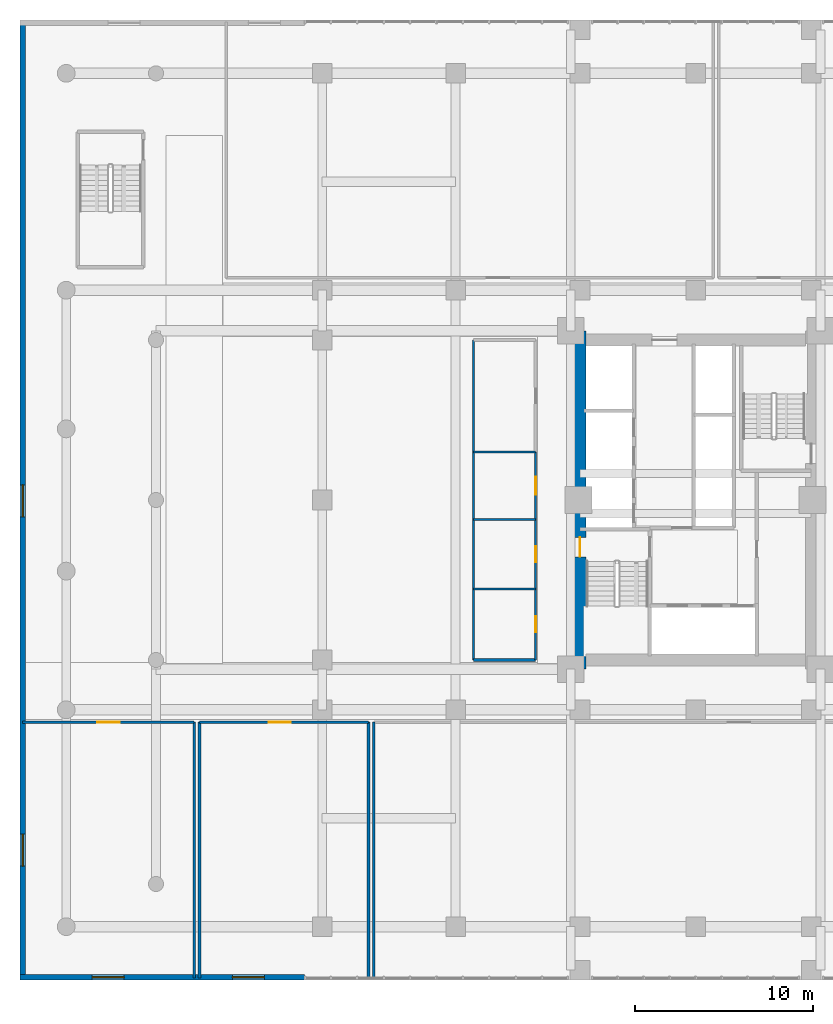
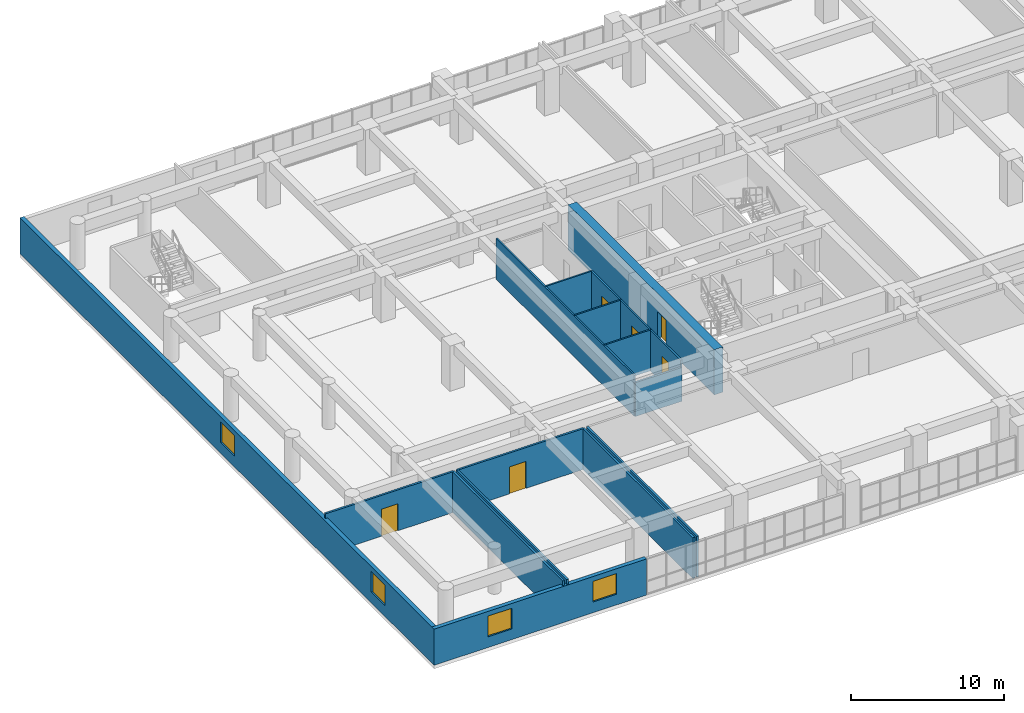
# One storey, part 18 of 30: 17 walls, 6 doors, 4 windows, 10 openings.
"""IFC4 building model written with IfcOpenShell, lengths in metres."""

from ifc_helpers import new_model, si_unit, direction, frame, frame_2d, origin, place, context, subcontext, project, spatial, rectangle, extrude, source, transform, mapped, material, layer, layer_set, type_object, element, fill, save


model = new_model("IFC4")

# Units and contexts
model_context = context("Model", 3, precision=1e-05, world=origin(), true_north=direction((0.0, 1.0)))
body_context = subcontext(model_context, "Body", "Model", "MODEL_VIEW")
ifc_project = project(units=[si_unit("LENGTHUNIT", "METRE"), si_unit("AREAUNIT", "SQUARE_METRE"), si_unit("VOLUMEUNIT", "CUBIC_METRE"), si_unit("PLANEANGLEUNIT", "RADIAN"), si_unit("MASSUNIT", "GRAM", prefix="KILO")], contexts=[model_context])

# Site, building, storey
site_placement = place(None, origin())
site = spatial("IfcSite", under=ifc_project, at=site_placement, CompositionType="ELEMENT")
building_placement = place(site_placement, origin())
building = spatial("IfcBuilding", under=site, at=building_placement, Name="Saelheon Loggia Tower", CompositionType="ELEMENT")
storey_placement = place(building_placement, frame((0.0, 0.0, 11.39990234375)))
storey = spatial("IfcBuildingStorey", under=building, at=storey_placement, Name="L03", CompositionType="ELEMENT", Elevation=11.39990234375)

# Wall, opening, door
ifc_material_1 = material(Name="Concrete C60/75", Category="concrete")
ifc_layer_1 = layer(ifc_material_1, 0.64990234375)
ifc_layer_set_1 = layer_set([ifc_layer_1], Name="Concrete C60/75")
wall_type_1 = type_object("IfcWallType", Name="Wall_CoreShear_650", PredefinedType="SHEAR", material=ifc_layer_set_1)
wall_1_placement = place(storey_placement, frame((31.5, 17.47998046875, 0.0), z_axis=(0.0, 0.0, 1.0), x_axis=(0.0, 1.0, 0.0)))
wall_1 = element("IfcWall", 1, at=wall_1_placement, inside=storey, type_object=wall_type_1, Name="L03 Core Shear Wall West", PredefinedType="SHEAR", context=body_context, shape_type="SweptSolid", body=[
    extrude(rectangle(XDim=19.0400390625, YDim=0.64990234375, at=frame_2d((9.52001953125, 0.0))), origin(), (0.0, 0.0, 1.0), 3.60009765625),
])
opening_1_placement = place(wall_1_placement, frame((6.320068359375, 0.0, 0.0)))
opening_1 = element("IfcOpeningElement", 2, at=opening_1_placement, cuts=wall_1, Name="Opening D-FD2", PredefinedType="OPENING", context=body_context, shape_type="SweptSolid", body=[
    extrude(rectangle(XDim=1.10009765625, YDim=2.14990234375, at=frame_2d((0.550048828125, 1.074951171875))), frame((0.0, 0.3369140625, 0.0), z_axis=(0.0, -1.0, 0.0), x_axis=(1.0, 0.0, 0.0)), (0.0, 0.0, 1.0), 0.673828125),
])
ifc_material_2 = material(Name="Galvanised Steel Fire Door", Category="steel")
door_type_1 = type_object("IfcDoorType", Name="Door_Fire_FD60_1100", OperationType="NOTDEFINED", PredefinedType="DOOR", material=ifc_material_2)
shared_shape_1 = source(origin(), body_context, "Body", "SweptSolid", [
    extrude(rectangle(XDim=1.10009765625, YDim=2.14990234375, at=frame_2d((0.550048828125, 1.074951171875))), frame((0.0, 0.02490234375, 0.0), z_axis=(0.0, -1.0, 0.0), x_axis=(1.0, 0.0, 0.0)), (0.0, 0.0, 1.0), 0.050048828125),
])
door_1_placement = place(opening_1_placement, origin())
door_1 = element("IfcDoor", 3, at=door_1_placement, inside=storey, type_object=door_type_1, Name="L03 Stair ST1 Corridor Door", OperationType="SINGLE_SWING_LEFT", OverallHeight=2.14990234375, OverallWidth=1.10009765625, PredefinedType="DOOR", context=body_context, shape_type="MappedRepresentation", body=[
    mapped(shared_shape_1, transform((0.0, 0.0, 0.0), scale=1.0)),
])
fill(opening_1, door_1)

# Wall, openings, windows
ifc_material_3 = material(Name="Architectural Precast Concrete C40/50", Category="concrete")
ifc_layer_2 = layer(ifc_material_3, 0.300048828125)
ifc_layer_set_2 = layer_set([ifc_layer_2], Name="Architectural Precast Concrete C40/50")
wall_type_2 = type_object("IfcWallType", Name="Wall_Ext_Podium_300", PredefinedType="SOLIDWALL", material=ifc_layer_set_2)
wall_2_placement = place(storey_placement, frame((0.0, 0.14990234375, 0.0), z_axis=(0.0, 0.0, 1.0), x_axis=(1.0, 0.0, 0.0)))
wall_2 = element("IfcWall", 4, at=wall_2_placement, inside=storey, type_object=wall_type_2, Name="L03 South-West Precast Wall", PredefinedType="SOLIDWALL", context=body_context, shape_type="SweptSolid", body=[
    extrude(rectangle(XDim=16.0, YDim=0.300048828125, at=frame_2d((8.0, 0.0))), origin(), (0.0, 0.0, 1.0), 2.880126953125),
])
opening_2_placement = place(wall_2_placement, frame((4.054931640625, 0.0, 0.85009765625)))
opening_2 = element("IfcOpeningElement", 5, at=opening_2_placement, cuts=wall_2, Name="Opening WN-01", PredefinedType="OPENING", context=body_context, shape_type="SweptSolid", body=[
    extrude(rectangle(XDim=1.800048828125, YDim=1.64990234375, at=frame_2d((0.89990234375, 0.824951171875))), frame((0.0, 0.162109375, 0.0), z_axis=(0.0, -1.0, 0.0), x_axis=(1.0, 0.0, 0.0)), (0.0, 0.0, 1.0), 0.323974609375),
])
opening_3_placement = place(wall_2_placement, frame((11.945068359375, 0.0, 0.85009765625)))
opening_3 = element("IfcOpeningElement", 6, at=opening_3_placement, cuts=wall_2, Name="Opening WN-01", PredefinedType="OPENING", context=body_context, shape_type="SweptSolid", body=[
    extrude(rectangle(XDim=1.800048828125, YDim=1.64990234375, at=frame_2d((0.89990234375, 0.824951171875))), frame((0.0, 0.162109375, 0.0), z_axis=(0.0, -1.0, 0.0), x_axis=(1.0, 0.0, 0.0)), (0.0, 0.0, 1.0), 0.323974609375),
])
ifc_material_4 = material(Name="Thermal-Break Aluminium and Triple Low-E Glass", Category="aluminium")
window_type = type_object("IfcWindowType", Name="Win_Dwelling_1800x1650", PartitioningType="SINGLE_PANEL", PredefinedType="WINDOW", material=ifc_material_4)
shared_shape_2 = source(origin(), body_context, "Body", "SweptSolid", [
    extrude(rectangle(XDim=1.800048828125, YDim=1.64990234375, at=frame_2d((0.89990234375, 0.824951171875))), frame((0.0, 0.030029296875, 0.0), z_axis=(0.0, -1.0, 0.0), x_axis=(1.0, 0.0, 0.0)), (0.0, 0.0, 1.0), 0.06005859375),
])
window_1_placement = place(opening_2_placement, origin())
window_1 = element("IfcWindow", 7, at=window_1_placement, inside=storey, type_object=window_type, Name="L03 SW Dwelling Window 1", OverallHeight=1.64990234375, OverallWidth=1.800048828125, PartitioningType="SINGLE_PANEL", PredefinedType="WINDOW", context=body_context, shape_type="MappedRepresentation", body=[
    mapped(shared_shape_2, transform((0.0, 0.0, 0.0), scale=1.0)),
])
fill(opening_2, window_1)
window_2_placement = place(opening_3_placement, origin())
window_2 = element("IfcWindow", 8, at=window_2_placement, inside=storey, type_object=window_type, Name="L03 SW Dwelling Window 2", OverallHeight=1.64990234375, OverallWidth=1.800048828125, PartitioningType="SINGLE_PANEL", PredefinedType="WINDOW", context=body_context, shape_type="MappedRepresentation", body=[
    mapped(shared_shape_2, transform((0.0, 0.0, 0.0), scale=1.0)),
])
fill(opening_3, window_2)

wall_3_placement = place(storey_placement, frame((0.14990234375, 0.0, 0.0), z_axis=(0.0, 0.0, 1.0), x_axis=(0.0, 1.0, 0.0)))
wall_3 = element("IfcWall", 9, at=wall_3_placement, inside=storey, type_object=wall_type_2, Name="L03 West Precast Wall", PredefinedType="SOLIDWALL", context=body_context, shape_type="SweptSolid", body=[
    extrude(rectangle(XDim=54.0, YDim=0.300048828125, at=frame_2d((27.0, 0.0))), origin(), (0.0, 0.0, 1.0), 2.880126953125),
])
opening_4_placement = place(wall_3_placement, frame((6.405029296875, 0.0, 0.85009765625)))
opening_4 = element("IfcOpeningElement", 10, at=opening_4_placement, cuts=wall_3, Name="Opening WN-01", PredefinedType="OPENING", context=body_context, shape_type="SweptSolid", body=[
    extrude(rectangle(XDim=1.800048828125, YDim=1.64990234375, at=frame_2d((0.89990234375, 0.824951171875))), frame((0.0, 0.162109375, 0.0), z_axis=(0.0, -1.0, 0.0), x_axis=(1.0, 0.0, 0.0)), (0.0, 0.0, 1.0), 0.323974609375),
])
opening_5_placement = place(wall_3_placement, frame((26.044921875, 0.0, 0.85009765625)))
opening_5 = element("IfcOpeningElement", 11, at=opening_5_placement, cuts=wall_3, Name="Opening WN-01", PredefinedType="OPENING", context=body_context, shape_type="SweptSolid", body=[
    extrude(rectangle(XDim=1.800048828125, YDim=1.64990234375, at=frame_2d((0.89990234375, 0.824951171875))), frame((0.0, 0.162109375, 0.0), z_axis=(0.0, -1.0, 0.0), x_axis=(1.0, 0.0, 0.0)), (0.0, 0.0, 1.0), 0.323974609375),
])
window_3_placement = place(opening_4_placement, origin())
window_3 = element("IfcWindow", 12, at=window_3_placement, inside=storey, type_object=window_type, Name="L03 W Dwelling Window 1", OverallHeight=1.64990234375, OverallWidth=1.800048828125, PartitioningType="SINGLE_PANEL", PredefinedType="WINDOW", context=body_context, shape_type="MappedRepresentation", body=[
    mapped(shared_shape_2, transform((0.0, 0.0, 0.0), scale=1.0)),
])
fill(opening_4, window_3)
window_4_placement = place(opening_5_placement, origin())
window_4 = element("IfcWindow", 13, at=window_4_placement, inside=storey, type_object=window_type, Name="L03 W Dwelling Window 2", OverallHeight=1.64990234375, OverallWidth=1.800048828125, PartitioningType="SINGLE_PANEL", PredefinedType="WINDOW", context=body_context, shape_type="MappedRepresentation", body=[
    mapped(shared_shape_2, transform((0.0, 0.0, 0.0), scale=1.0)),
])
fill(opening_5, window_4)

# Wall
ifc_material_5 = material(Name="Lightweight Autoclaved Aerated Concrete Block and Acoustic Gypsum", Category="concrete")
ifc_layer_3 = layer(ifc_material_5, 0.14990234375)
ifc_layer_set_3 = layer_set([ifc_layer_3], Name="Lightweight Autoclaved Aerated Concrete Block and Acoustic Gypsum")
wall_type_3 = type_object("IfcWallType", Name="Wall_Part_150", PredefinedType="PARTITIONING", material=ifc_layer_set_3)
wall_4_placement = place(storey_placement, frame((25.5, 18.0, 0.0), z_axis=(0.0, 0.0, 1.0), x_axis=(1.0, 0.0, 0.0)))
element("IfcWall", 14, at=wall_4_placement, inside=storey, type_object=wall_type_3, Name="PW-L03-WCS-S", PredefinedType="PARTITIONING", context=body_context, shape_type="SweptSolid", body=[
    extrude(rectangle(XDim=3.5, YDim=0.14990234375, at=frame_2d((1.75, 0.0))), origin(), (0.0, 0.0, 1.0), 2.690185546875),
])

# Wall, opening, door
wall_5_placement = place(storey_placement, frame((0.14990234375, 14.5, 0.0), z_axis=(0.0, 0.0, 1.0), x_axis=(1.0, 0.0, 0.0)))
wall_5 = element("IfcWall", 15, at=wall_5_placement, inside=storey, type_object=wall_type_3, Name="PW-L03-DENT1A-N", PredefinedType="PARTITIONING", context=body_context, shape_type="SweptSolid", body=[
    extrude(rectangle(XDim=9.650146484375, YDim=0.14990234375, at=frame_2d((4.8251953125, 0.0))), origin(), (0.0, 0.0, 1.0), 3.25),
])
opening_6_placement = place(wall_5_placement, frame((4.199951171875, 0.0, 0.0)))
opening_6 = element("IfcOpeningElement", 16, at=opening_6_placement, cuts=wall_5, Name="Opening D-CL1", PredefinedType="OPENING", context=body_context, shape_type="SweptSolid", body=[
    extrude(rectangle(XDim=1.25, YDim=2.14990234375, at=frame_2d((0.625, 1.074951171875))), frame((0.0, 0.0869140625, 0.0), z_axis=(0.0, -1.0, 0.0), x_axis=(1.0, 0.0, 0.0)), (0.0, 0.0, 1.0), 0.173828125),
])
ifc_material_6 = material(Name="Antimicrobial Hospital Laminate Door", Category="timber")
door_type_2 = type_object("IfcDoorType", Name="Door_Clinic_1250", OperationType="NOTDEFINED", PredefinedType="DOOR", material=ifc_material_6)
shared_shape_3 = source(origin(), body_context, "Body", "SweptSolid", [
    extrude(rectangle(XDim=1.25, YDim=2.14990234375, at=frame_2d((0.625, 1.074951171875))), frame((0.0, 0.02490234375, 0.0), z_axis=(0.0, -1.0, 0.0), x_axis=(1.0, 0.0, 0.0)), (0.0, 0.0, 1.0), 0.050048828125),
])
door_2_placement = place(opening_6_placement, origin())
door_2 = element("IfcDoor", 17, at=door_2_placement, inside=storey, type_object=door_type_2, Name="L03 Preventive Dental Clinic A Door", OperationType="SINGLE_SWING_RIGHT", OverallHeight=2.14990234375, OverallWidth=1.25, PredefinedType="DOOR", context=body_context, shape_type="MappedRepresentation", body=[
    mapped(shared_shape_3, transform((0.0, 0.0, 0.0), scale=1.0)),
])
fill(opening_6, door_2)

# Wall
wall_6_placement = place(storey_placement, frame((9.800048828125, 0.10009765625, 0.0), z_axis=(0.0, 0.0, 1.0), x_axis=(0.0, 1.0, 0.0)))
element("IfcWall", 18, at=wall_6_placement, inside=storey, type_object=wall_type_3, Name="PW-L03-DENT1A-E", PredefinedType="PARTITIONING", context=body_context, shape_type="SweptSolid", body=[
    extrude(rectangle(XDim=14.39990234375, YDim=0.14990234375, at=frame_2d((7.199951171875, 0.0))), origin(), (0.0, 0.0, 1.0), 3.25),
])

# Wall, opening, door
wall_7_placement = place(storey_placement, frame((10.10009765625, 14.5, 0.0), z_axis=(0.0, 0.0, 1.0), x_axis=(1.0, 0.0, 0.0)))
wall_7 = element("IfcWall", 19, at=wall_7_placement, inside=storey, type_object=wall_type_3, Name="PW-L03-DENT1B-N", PredefinedType="PARTITIONING", context=body_context, shape_type="SweptSolid", body=[
    extrude(rectangle(XDim=9.5, YDim=0.14990234375, at=frame_2d((4.75, 0.0))), origin(), (0.0, 0.0, 1.0), 3.25),
])
opening_7_placement = place(wall_7_placement, frame((3.88916015625, 0.0, 0.0)))
opening_7 = element("IfcOpeningElement", 20, at=opening_7_placement, cuts=wall_7, Name="Opening D-CL1", PredefinedType="OPENING", context=body_context, shape_type="SweptSolid", body=[
    extrude(rectangle(XDim=1.25, YDim=2.14990234375, at=frame_2d((0.625, 1.074951171875))), frame((0.0, 0.0869140625, 0.0), z_axis=(0.0, -1.0, 0.0), x_axis=(1.0, 0.0, 0.0)), (0.0, 0.0, 1.0), 0.173828125),
])
door_3_placement = place(opening_7_placement, origin())
door_3 = element("IfcDoor", 21, at=door_3_placement, inside=storey, type_object=door_type_2, Name="L03 Restorative Dental Clinic B Door", OperationType="SINGLE_SWING_LEFT", OverallHeight=2.14990234375, OverallWidth=1.25, PredefinedType="DOOR", context=body_context, shape_type="MappedRepresentation", body=[
    mapped(shared_shape_3, transform((0.0, 0.0, 0.0), scale=1.0)),
])
fill(opening_7, door_3)

# Walls
for number, where, z_axis, x_axis, name in (
    (22, (10.10009765625, 0.10009765625, 0.0), (0.0, 0.0, 1.0), (0.0, 1.0, 0.0), "PW-L03-DENT1B-W"),
    (23, (19.60009765625, 0.10009765625, 0.0), (0.0, 0.0, 1.0), (0.0, 1.0, 0.0), "PW-L03-DENT1B-E"),
    (24, (19.89990234375, 0.10009765625, 0.0), (0.0, 0.0, 1.0), (0.0, 1.0, 0.0), "PW-L03-REHAB-W"),
):
    element("IfcWall", number, at=place(storey_placement, frame(where, z_axis=z_axis, x_axis=x_axis)), inside=storey, type_object=wall_type_3, Name=name, PredefinedType="PARTITIONING", context=body_context, shape_type="SweptSolid", body=[
        extrude(rectangle(XDim=14.39990234375, YDim=0.14990234375, at=frame_2d((7.199951171875, 0.0))), origin(), (0.0, 0.0, 1.0), 3.25),
    ])
ifc_material_7 = material(Name="Moisture-Resistant Cement Board Partition", Category="gypsum")
ifc_layer_4 = layer(ifc_material_7, 0.1201171875)
ifc_layer_set_4 = layer_set([ifc_layer_4], Name="Moisture-Resistant Cement Board Partition")
wall_type_4 = type_object("IfcWallType", Name="Wall_WetPart_120", PredefinedType="PARTITIONING", material=ifc_layer_set_4)
wall_8_placement = place(storey_placement, frame((25.5, 18.0, 0.0), z_axis=(0.0, 0.0, 1.0), x_axis=(0.0, 1.0, 0.0)))
element("IfcWall", 25, at=wall_8_placement, inside=storey, type_object=wall_type_4, Name="PW-L03-WCS-W", PredefinedType="PARTITIONING", context=body_context, shape_type="SweptSolid", body=[
    extrude(rectangle(XDim=18.0, YDim=0.1201171875, at=frame_2d((9.0, 0.0))), origin(), (0.0, 0.0, 1.0), 3.25),
])

# Wall, opening, door
wall_9_placement = place(storey_placement, frame((29.0, 18.0, 0.0), z_axis=(0.0, 0.0, 1.0), x_axis=(0.0, 1.0, 0.0)))
wall_9 = element("IfcWall", 26, at=wall_9_placement, inside=storey, type_object=wall_type_4, Name="PW-L03-WCS-E1", PredefinedType="PARTITIONING", context=body_context, shape_type="SweptSolid", body=[
    extrude(rectangle(XDim=4.0, YDim=0.1201171875, at=frame_2d((2.0, 0.0))), origin(), (0.0, 0.0, 1.0), 3.25),
])
opening_8_placement = place(wall_9_placement, frame((1.550048828125, 0.0, 0.0)))
opening_8 = element("IfcOpeningElement", 27, at=opening_8_placement, cuts=wall_9, Name="Opening D-IN2", PredefinedType="OPENING", context=body_context, shape_type="SweptSolid", body=[
    extrude(rectangle(XDim=0.89990234375, YDim=2.10009765625, at=frame_2d((0.449951171875, 1.050048828125))), frame((0.0, 0.072021484375, 0.0), z_axis=(0.0, -1.0, 0.0), x_axis=(1.0, 0.0, 0.0)), (0.0, 0.0, 1.0), 0.14404296875),
])
ifc_material_8 = material(Name="Engineered Oak Flush Door", Category="timber")
door_type_3 = type_object("IfcDoorType", Name="Door_Int_900", OperationType="NOTDEFINED", PredefinedType="DOOR", material=ifc_material_8)
shared_shape_4 = source(origin(), body_context, "Body", "SweptSolid", [
    extrude(rectangle(XDim=0.89990234375, YDim=2.10009765625, at=frame_2d((0.449951171875, 1.050048828125))), frame((0.0, 0.02490234375, 0.0), z_axis=(0.0, -1.0, 0.0), x_axis=(1.0, 0.0, 0.0)), (0.0, 0.0, 1.0), 0.050048828125),
])
door_4_placement = place(opening_8_placement, origin())
door_4 = element("IfcDoor", 28, at=door_4_placement, inside=storey, type_object=door_type_3, Name="L03 Male WC Door", OperationType="SINGLE_SWING_RIGHT", OverallHeight=2.10009765625, OverallWidth=0.89990234375, PredefinedType="DOOR", context=body_context, shape_type="MappedRepresentation", body=[
    mapped(shared_shape_4, transform((0.0, 0.0, 0.0), scale=1.0)),
])
fill(opening_8, door_4)

wall_10_placement = place(storey_placement, frame((29.0, 22.0, 0.0), z_axis=(0.0, 0.0, 1.0), x_axis=(0.0, 1.0, 0.0)))
wall_10 = element("IfcWall", 29, at=wall_10_placement, inside=storey, type_object=wall_type_4, Name="PW-L03-WCS-E2", PredefinedType="PARTITIONING", context=body_context, shape_type="SweptSolid", body=[
    extrude(rectangle(XDim=3.89990234375, YDim=0.1201171875, at=frame_2d((1.949951171875, 0.0))), origin(), (0.0, 0.0, 1.0), 3.25),
])
opening_9_placement = place(wall_10_placement, frame((1.5, 0.0, 0.0)))
opening_9 = element("IfcOpeningElement", 30, at=opening_9_placement, cuts=wall_10, Name="Opening D-IN2", PredefinedType="OPENING", context=body_context, shape_type="SweptSolid", body=[
    extrude(rectangle(XDim=0.89990234375, YDim=2.10009765625, at=frame_2d((0.449951171875, 1.050048828125))), frame((0.0, 0.072021484375, 0.0), z_axis=(0.0, -1.0, 0.0), x_axis=(1.0, 0.0, 0.0)), (0.0, 0.0, 1.0), 0.14404296875),
])
door_5_placement = place(opening_9_placement, origin())
door_5 = element("IfcDoor", 31, at=door_5_placement, inside=storey, type_object=door_type_3, Name="L03 Female WC Door", OperationType="SINGLE_SWING_LEFT", OverallHeight=2.10009765625, OverallWidth=0.89990234375, PredefinedType="DOOR", context=body_context, shape_type="MappedRepresentation", body=[
    mapped(shared_shape_4, transform((0.0, 0.0, 0.0), scale=1.0)),
])
fill(opening_9, door_5)

wall_11_placement = place(storey_placement, frame((29.0, 25.89990234375, 0.0), z_axis=(0.0, 0.0, 1.0), x_axis=(0.0, 1.0, 0.0)))
wall_11 = element("IfcWall", 32, at=wall_11_placement, inside=storey, type_object=wall_type_4, Name="PW-L03-WCS-E3", PredefinedType="PARTITIONING", context=body_context, shape_type="SweptSolid", body=[
    extrude(rectangle(XDim=3.800048828125, YDim=0.1201171875, at=frame_2d((1.89990234375, 0.0))), origin(), (0.0, 0.0, 1.0), 3.25),
])
opening_10_placement = place(wall_11_placement, frame((1.39990234375, 0.0, 0.0)))
opening_10 = element("IfcOpeningElement", 33, at=opening_10_placement, cuts=wall_11, Name="Opening D-AC1", PredefinedType="OPENING", context=body_context, shape_type="SweptSolid", body=[
    extrude(rectangle(XDim=1.0, YDim=2.10009765625, at=frame_2d((0.5, 1.050048828125))), frame((0.0, 0.072021484375, 0.0), z_axis=(0.0, -1.0, 0.0), x_axis=(1.0, 0.0, 0.0)), (0.0, 0.0, 1.0), 0.14404296875),
])
ifc_material_9 = material(Name="Accessible Laminate Flush Door", Category="timber")
door_type_4 = type_object("IfcDoorType", Name="Door_Acc_1000", OperationType="NOTDEFINED", PredefinedType="DOOR", material=ifc_material_9)
shared_shape_5 = source(origin(), body_context, "Body", "SweptSolid", [
    extrude(rectangle(XDim=1.0, YDim=2.10009765625, at=frame_2d((0.5, 1.050048828125))), frame((0.0, 0.02490234375, 0.0), z_axis=(0.0, -1.0, 0.0), x_axis=(1.0, 0.0, 0.0)), (0.0, 0.0, 1.0), 0.050048828125),
])
door_6_placement = place(opening_10_placement, origin())
door_6 = element("IfcDoor", 34, at=door_6_placement, inside=storey, type_object=door_type_4, Name="L03 Accessible WC Door", OperationType="SINGLE_SWING_RIGHT", OverallHeight=2.10009765625, OverallWidth=1.0, PredefinedType="DOOR", context=body_context, shape_type="MappedRepresentation", body=[
    mapped(shared_shape_5, transform((0.0, 0.0, 0.0), scale=1.0)),
])
fill(opening_10, door_6)

# Walls
for number, where, z_axis, x_axis, name in (
    (35, (25.5, 22.0, 0.0), (0.0, 0.0, 1.0), (1.0, 0.0, 0.0), "PW-L03-WCS-D1"),
    (36, (25.5, 25.89990234375, 0.0), (0.0, 0.0, 1.0), (1.0, 0.0, 0.0), "PW-L03-WCS-D2"),
    (37, (25.5, 29.699951171875, 0.0), (0.0, 0.0, 1.0), (1.0, 0.0, 0.0), "PW-L03-WCS-D3"),
):
    element("IfcWall", number, at=place(storey_placement, frame(where, z_axis=z_axis, x_axis=x_axis)), inside=storey, type_object=wall_type_4, Name=name, PredefinedType="PARTITIONING", context=body_context, shape_type="SweptSolid", body=[
        extrude(rectangle(XDim=3.5, YDim=0.1201171875, at=frame_2d((1.75, 0.0))), origin(), (0.0, 0.0, 1.0), 3.25),
    ])

save(model, "model.ifc")
